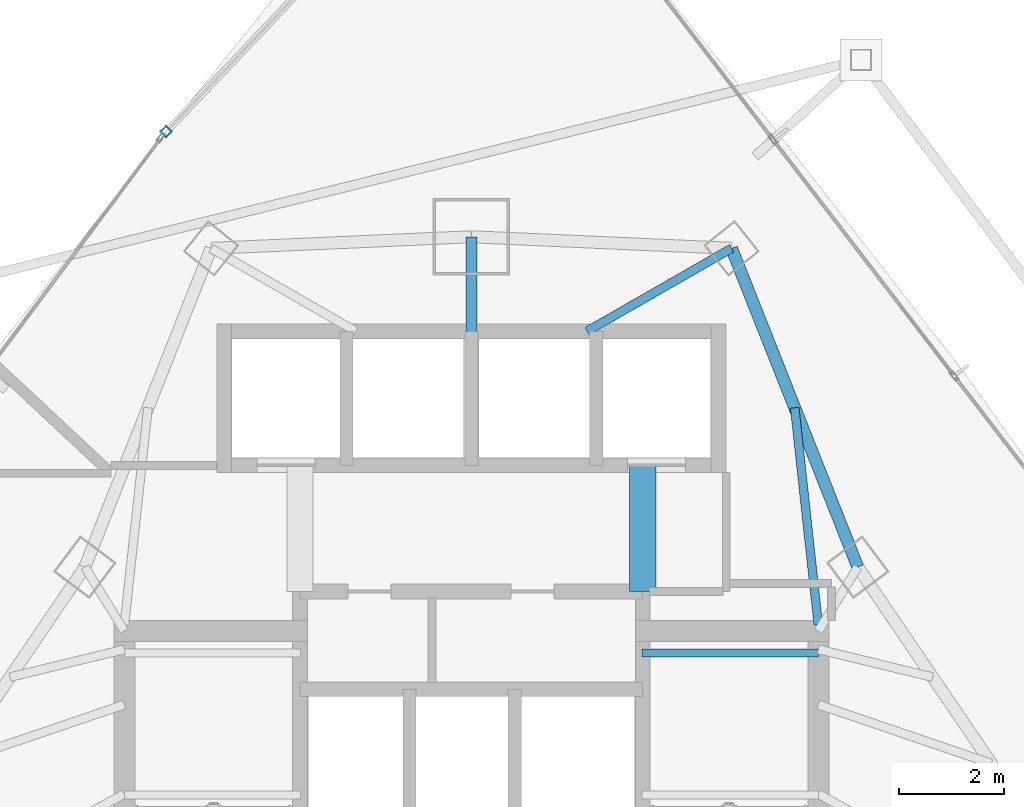
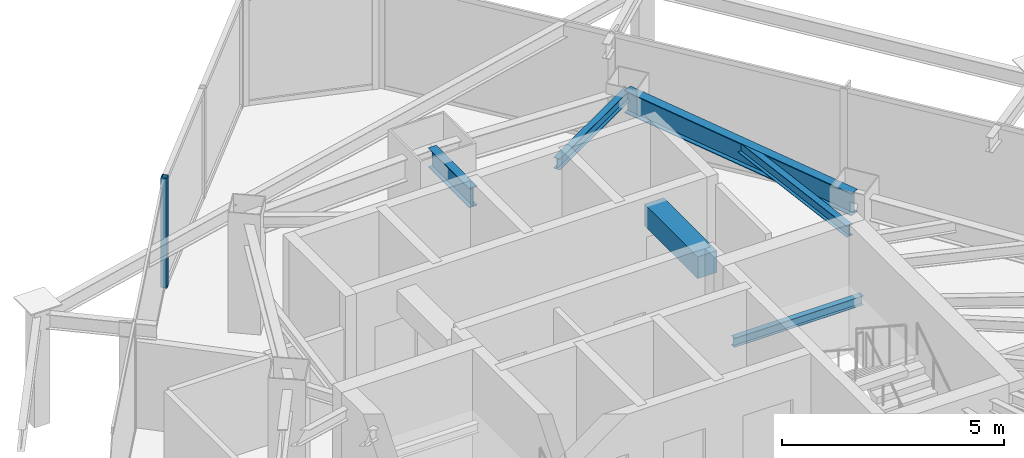
# One storey, part 19 of 30: 6 beams, 1 member, 1 element without a shape of its own.
"""IFC4 building model written with IfcOpenShell, lengths in metres."""

from ifc_helpers import new_model, si_unit, direction, frame, origin, origin_2d, place, context, subcontext, project, spatial, rectangle, hollow_rectangle, i_section, extrude, material, layer, layer_set, material_profile, profile_set, type_object, element, aggregate, save


model = new_model("IFC4")

# Units and contexts
model_context = context("Model", 3, precision=1e-05, world=origin(), true_north=direction((0.0, 1.0)))
body_context = subcontext(model_context, "Body", "Model", "MODEL_VIEW")
ifc_project = project(units=[si_unit("LENGTHUNIT", "METRE"), si_unit("AREAUNIT", "SQUARE_METRE"), si_unit("VOLUMEUNIT", "CUBIC_METRE"), si_unit("PLANEANGLEUNIT", "RADIAN"), si_unit("MASSUNIT", "GRAM", prefix="KILO")], contexts=[model_context])

# Site, building, storey
site_placement = place(None, origin())
site = spatial("IfcSite", under=ifc_project, at=site_placement, CompositionType="ELEMENT")
building_placement = place(site_placement, origin())
building = spatial("IfcBuilding", under=site, at=building_placement, Name="Orvanel Arch Residences", CompositionType="ELEMENT")
storey_placement = place(building_placement, frame((0.0, 0.0, 143.0)))
storey = spatial("IfcBuildingStorey", under=building, at=storey_placement, Name="L40", CompositionType="ELEMENT", Elevation=143.0)

# Beams
ifc_material_1 = material(Name="Structural steel AS/NZS 3679.1 Grade 300 (300 MPa)", Category="steel")
ifc_material_profile_1 = material_profile(ifc_material_1, i_section(OverallWidth=0.208984375, OverallDepth=0.532958984375, WebThickness=0.01025390625, FlangeThickness=0.015625, at=origin_2d()), Name="530UB92.4")
ifc_profile_set_1 = profile_set([ifc_material_profile_1], Name="Structural steel AS/NZS 3679.1 Grade 300 (300 MPa)")
beam_type_1 = type_object("IfcBeamType", Name="BG-530UB", PredefinedType="BEAM", material=ifc_profile_set_1)
beam_1_placement = place(storey_placement, frame((33.0, 39.550048828125, 2.75390625), z_axis=(0.0, 1.0, 0.0), x_axis=(-1.0, 0.0, 0.0)))
element("IfcBeam", 1, at=beam_1_placement, inside=storey, type_object=beam_type_1, Name="L40 North Radial Girder", PredefinedType="BEAM", context=body_context, shape_type="SweptSolid", body=[
    extrude(i_section(OverallWidth=0.208984375, OverallDepth=0.532958984375, WebThickness=0.01025390625, FlangeThickness=0.015625, at=origin_2d()), origin(), (0.0, 0.0, 1.0), 1.847900390625),
])
ifc_material_profile_2 = material_profile(ifc_material_1, i_section(OverallWidth=0.14599609375, OverallDepth=0.251953125, WebThickness=0.006103515625, FlangeThickness=0.008544921875, at=origin_2d()), Name="250UB31.4")
ifc_profile_set_2 = profile_set([ifc_material_profile_2], Name="Structural steel AS/NZS 3679.1 Grade 300 (300 MPa)")
beam_type_2 = type_object("IfcBeamType", Name="BJ-250UB", PredefinedType="JOIST", material=ifc_profile_set_2)
beam_2_placement = place(storey_placement, frame((36.25, 33.47998046875, 1.323974609375), z_axis=(1.0, 0.0, 0.0), x_axis=(0.0, 1.0, 0.0)))
element("IfcBeam", 2, at=beam_2_placement, inside=storey, type_object=beam_type_2, Name="L40 ST-2 Half-Landing Support Beam 1.2", PredefinedType="JOIST", context=body_context, shape_type="SweptSolid", body=[
    extrude(i_section(OverallWidth=0.14599609375, OverallDepth=0.251953125, WebThickness=0.006103515625, FlangeThickness=0.008544921875, at=origin_2d()), origin(), (0.0, 0.0, 1.0), 3.35009765625),
])
ifc_material_profile_3 = material_profile(ifc_material_1, i_section(OverallWidth=0.1650390625, OverallDepth=0.303955078125, WebThickness=0.006103515625, FlangeThickness=0.01025390625, at=origin_2d()), Name="310UB40.4")
ifc_profile_set_3 = profile_set([ifc_material_profile_3], Name="Structural steel AS/NZS 3679.1 Grade 300 (300 MPa)")
beam_type_3 = type_object("IfcBeamType", Name="BJ-310UB", PredefinedType="JOIST", material=ifc_profile_set_3)
beam_3_placement = place(storey_placement, frame((39.60009765625, 34.02001953125, 2.867919921875), z_axis=(-0.108261441852, 0.99412245735, 0.0), x_axis=(-0.99412245735, -0.108261441852, 0.0)))
element("IfcBeam", 3, at=beam_3_placement, inside=storey, type_object=beam_type_3, Name="L40 NNE2 Wing Floor Joist", PredefinedType="JOIST", context=body_context, shape_type="SweptSolid", body=[
    extrude(i_section(OverallWidth=0.1650390625, OverallDepth=0.303955078125, WebThickness=0.006103515625, FlangeThickness=0.01025390625, at=origin_2d()), origin(), (0.0, 0.0, 1.0), 4.1494140625),
])
beam_4_placement = place(storey_placement, frame((35.199951171875, 39.60009765625, 2.867919921875), z_axis=(0.86736513383, 0.497672306458, 0.0), x_axis=(-0.497672306458, 0.86736513383, 0.0)))
element("IfcBeam", 4, at=beam_4_placement, inside=storey, type_object=beam_type_3, Name="L40 MNE Wing Floor Joist", PredefinedType="JOIST", context=body_context, shape_type="SweptSolid", body=[
    extrude(i_section(OverallWidth=0.1650390625, OverallDepth=0.303955078125, WebThickness=0.006103515625, FlangeThickness=0.01025390625, at=origin_2d()), origin(), (0.0, 0.0, 1.0), 3.17041015625),
])
ifc_material_2 = material(Name="Concrete S65 (65 MPa)", Category="concrete")
ifc_material_profile_4 = material_profile(ifc_material_2, rectangle(XDim=0.5, YDim=0.60009765625, at=origin_2d()), Name="RC500x600")
ifc_profile_set_4 = profile_set([ifc_material_profile_4], Name="Concrete S65 (65 MPa)")
beam_type_4 = type_object("IfcBeamType", Name="CB-500x600", PredefinedType="LINTEL", material=ifc_profile_set_4)
beam_5_placement = place(storey_placement, frame((36.260009765625, 34.64990234375, 2.719970703125), z_axis=(0.0, 1.0, 0.0), x_axis=(-1.0, 0.0, 0.0)))
element("IfcBeam", 5, at=beam_5_placement, inside=storey, type_object=beam_type_4, Name="L40 East Core Lobby Coupling Lintel Beam", PredefinedType="LINTEL", context=body_context, shape_type="SweptSolid", body=[
    extrude(rectangle(XDim=0.5, YDim=0.60009765625, at=origin_2d()), origin(), (0.0, 0.0, 1.0), 2.400146484375),
])

# Curtain wall, member
ifc_material_3 = material(Name="Bronze-anodised aluminium AA6063-T6", Category="aluminium")
ifc_layer = layer(ifc_material_3, 0.18994140625)
ifc_layer_set = layer_set([ifc_layer], Name="Bronze-anodised aluminium AA6063-T6")
curtain_wall_type = type_object("IfcCurtainWallType", Name="CW5-CRN-SYS", PredefinedType="NOTDEFINED", material=ifc_layer_set)
curtain_wall_placement = place(storey_placement, origin())
curtain_wall = element("IfcCurtainWall", 6, at=curtain_wall_placement, inside=storey, type_object=curtain_wall_type, Name="L40 CW5-CRN-SYS Unitised Curtain Wall", PredefinedType="NOTDEFINED")
ifc_material_profile_5 = material_profile(ifc_material_3, hollow_rectangle(XDim=0.14990234375, YDim=0.14990234375, WallThickness=0.0048828125, at=origin_2d()), Name="ALU150x150x5")
ifc_profile_set_5 = profile_set([ifc_material_profile_5], Name="Bronze-anodised aluminium AA6063-T6")
member_type = type_object("IfcMemberType", Name="MUL-150x150", PredefinedType="MULLION", material=ifc_profile_set_5)
member_placement = place(storey_placement, frame((27.194580078125, 43.396240234375, 0.0), z_axis=(0.0, 0.0, 1.0), x_axis=(0.724586146342, -0.689184239902, 0.0)))
member = element("IfcMember", 7, at=member_placement, type_object=member_type, Name="CW-S5 mullion 3", PredefinedType="MULLION", context=body_context, shape_type="SweptSolid", body=[
    extrude(hollow_rectangle(XDim=0.14990234375, YDim=0.14990234375, WallThickness=0.0048828125, at=origin_2d()), origin(), (0.0, 0.0, 1.0), 3.02001953125),
])
aggregate(curtain_wall, [member])

# Beam
ifc_material_profile_6 = material_profile(ifc_material_1, i_section(OverallWidth=0.22900390625, OverallDepth=0.612060546875, WebThickness=0.011962890625, FlangeThickness=0.01953125, at=origin_2d()), Name="610UB125")
ifc_profile_set_6 = profile_set([ifc_material_profile_6], Name="Structural steel AS/NZS 3679.1 Grade 300 (300 MPa)")
beam_type_5 = type_object("IfcBeamType", Name="SP-610UB", PredefinedType="SPANDREL", material=ifc_profile_set_6)
beam_6_placement = place(storey_placement, frame((40.35205078125, 35.113037109375, 2.714111328125), z_axis=(-0.368233143579, 0.929733484376, 0.0), x_axis=(-0.929733484376, -0.368233143579, 0.0)))
element("IfcBeam", 8, at=beam_6_placement, inside=storey, type_object=beam_type_5, Name="L40 Perimeter Spandrel Beam 13", PredefinedType="SPANDREL", context=body_context, shape_type="SweptSolid", body=[
    extrude(i_section(OverallWidth=0.22900390625, OverallDepth=0.612060546875, WebThickness=0.011962890625, FlangeThickness=0.01953125, at=origin_2d()), origin(), (0.0, 0.0, 1.0), 6.523193359375),
])

save(model, "model.ifc")
